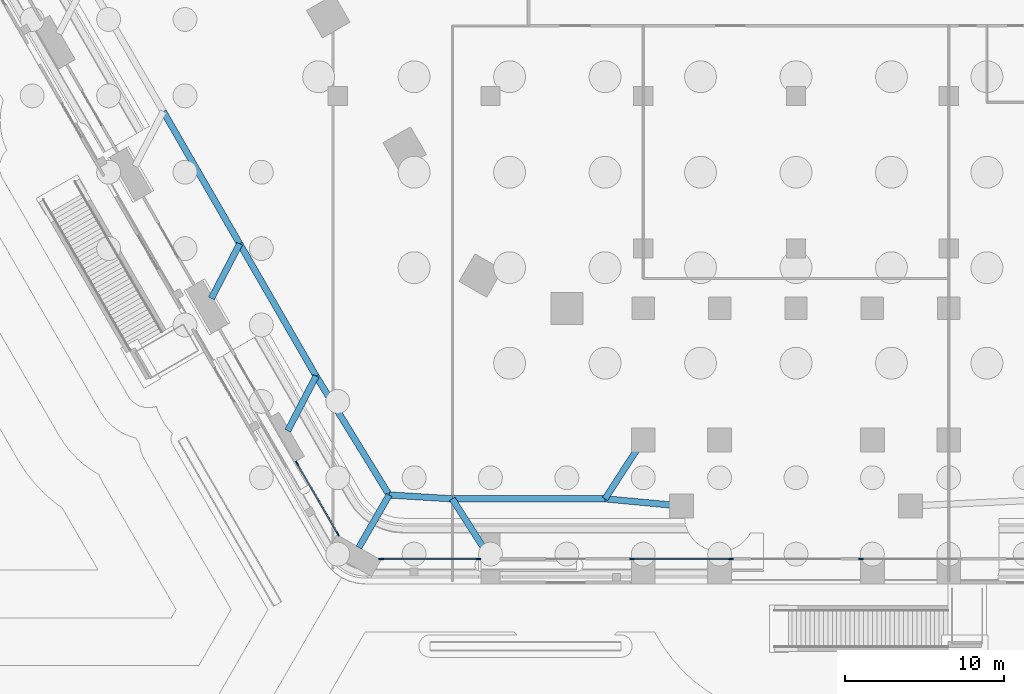
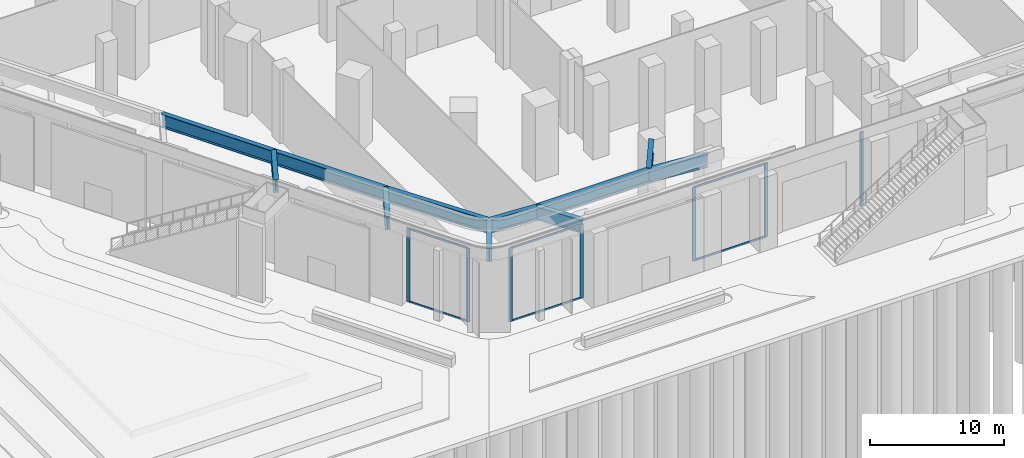
# One storey, part 3 of 68: 13 members, 11 beams, 4 elements without a shape of their own.
"""IFC4 building model written with IfcOpenShell, lengths in metres."""

from ifc_helpers import new_model, si_unit, direction, frame, origin, origin_2d, place, context, subcontext, project, spatial, rectangle, i_section, extrude, material, material_profile, profile_set, type_object, element, aggregate, save


model = new_model("IFC4")

# Units and contexts
model_context = context("Model", 3, precision=1e-05, world=origin(), true_north=direction((0.0, 1.0)))
body_context = subcontext(model_context, "Body", "Model", "MODEL_VIEW")
ifc_project = project(units=[si_unit("LENGTHUNIT", "METRE"), si_unit("AREAUNIT", "SQUARE_METRE"), si_unit("VOLUMEUNIT", "CUBIC_METRE"), si_unit("PLANEANGLEUNIT", "RADIAN"), si_unit("MASSUNIT", "GRAM", prefix="KILO")], contexts=[model_context])

# Site, building, storey
site_placement = place(None, origin())
site = spatial("IfcSite", under=ifc_project, at=site_placement, CompositionType="ELEMENT")
building_placement = place(site_placement, origin())
building = spatial("IfcBuilding", under=site, at=building_placement, Name="Kolab Exchange Tower", CompositionType="ELEMENT")
storey_placement = place(building_placement, origin())
storey = spatial("IfcBuildingStorey", under=building, at=storey_placement, Name="L00", CompositionType="ELEMENT", Elevation=0.0)

# Curtain wall, member
ifc_material_1 = material(Name="Aluminium EN AW-6063 T6", Category="aluminium")
curtain_wall_type = type_object("IfcCurtainWallType", Name="PODIUM STRUCTURAL GLAZING CURTAIN WALL", PredefinedType="NOTDEFINED", material=ifc_material_1)
curtain_wall_1_placement = place(storey_placement, origin())
curtain_wall_1 = element("IfcCurtainWall", 1, at=curtain_wall_1_placement, inside=storey, type_object=curtain_wall_type, Name="cw/L00/F4-2", PredefinedType="NOTDEFINED")
ifc_material_profile_1 = material_profile(ifc_material_1, rectangle(XDim=0.080078125, YDim=0.300048828125, at=origin_2d()), Name="RECT 80X300")
ifc_profile_set_1 = profile_set([ifc_material_profile_1], Name="Aluminium EN AW-6063 T6")
member_type_1 = type_object("IfcMemberType", Name="PODIUM STRUCTURAL GLAZING MULLION 80 X 300", PredefinedType="MULLION", material=ifc_profile_set_1)
member_1_placement = place(storey_placement, frame((4.087890625, -48.302978515625, 0.0), z_axis=(0.0, 0.0, 1.0), x_axis=(0.0, -1.0, 0.0)))
member_1 = element("IfcMember", 2, at=member_1_placement, type_object=member_type_1, Name="CW5 mullion 2", PredefinedType="MULLION", context=body_context, shape_type="SweptSolid", body=[
    extrude(rectangle(XDim=0.080078125, YDim=0.300048828125, at=origin_2d()), origin(), (0.0, 0.0, 1.0), 6.699951171875),
])
aggregate(curtain_wall_1, [member_1])

# Curtain wall, members
curtain_wall_2_placement = place(storey_placement, origin())
curtain_wall_2 = element("IfcCurtainWall", 3, at=curtain_wall_2_placement, inside=storey, type_object=curtain_wall_type, Name="cw/L00/F4-3", PredefinedType="NOTDEFINED")
member_2_placement = place(storey_placement, frame((-4.087890625, -48.302978515625, 0.0), z_axis=(0.0, 0.0, 1.0), x_axis=(0.0, -1.0, 0.0)))
member_2 = element("IfcMember", 4, at=member_2_placement, type_object=member_type_1, Name="CW5 mullion 1", PredefinedType="MULLION", context=body_context, shape_type="SweptSolid", body=[
    extrude(rectangle(XDim=0.080078125, YDim=0.300048828125, at=origin_2d()), origin(), (0.0, 0.0, 1.0), 6.699951171875),
])
member_3_placement = place(storey_placement, frame((-10.31201171875, -48.302978515625, 0.0), z_axis=(0.0, 0.0, 1.0), x_axis=(0.0, -1.0, 0.0)))
member_3 = element("IfcMember", 5, at=member_3_placement, type_object=member_type_1, Name="CW5 mullion 2", PredefinedType="MULLION", context=body_context, shape_type="SweptSolid", body=[
    extrude(rectangle(XDim=0.080078125, YDim=0.300048828125, at=origin_2d()), origin(), (0.0, 0.0, 1.0), 6.699951171875),
])

curtain_wall_3_placement = place(storey_placement, origin())
curtain_wall_3 = element("IfcCurtainWall", 6, at=curtain_wall_3_placement, inside=storey, type_object=curtain_wall_type, Name="cw/L00/F4-4", PredefinedType="NOTDEFINED")
member_4_placement = place(storey_placement, frame((-19.949951171875, -48.302978515625, 0.0), z_axis=(0.0, 0.0, 1.0), x_axis=(0.0, -1.0, 0.0)))
member_4 = element("IfcMember", 7, at=member_4_placement, type_object=member_type_1, Name="CW5 mullion 1", PredefinedType="MULLION", context=body_context, shape_type="SweptSolid", body=[
    extrude(rectangle(XDim=0.080078125, YDim=0.300048828125, at=origin_2d()), origin(), (0.0, 0.0, 1.0), 6.699951171875),
])
member_5_placement = place(storey_placement, frame((-26.058349609375, -48.302978515625, 0.0), z_axis=(0.0, 0.0, 1.0), x_axis=(0.0, -1.0, 0.0)))
member_5 = element("IfcMember", 8, at=member_5_placement, type_object=member_type_1, Name="CW5 mullion 2", PredefinedType="MULLION", context=body_context, shape_type="SweptSolid", body=[
    extrude(rectangle(XDim=0.080078125, YDim=0.300048828125, at=origin_2d()), origin(), (0.0, 0.0, 1.0), 6.699951171875),
])

curtain_wall_4_placement = place(storey_placement, origin())
curtain_wall_4 = element("IfcCurtainWall", 9, at=curtain_wall_4_placement, inside=storey, type_object=curtain_wall_type, Name="cw/L00/F5-1", PredefinedType="NOTDEFINED")
member_6_placement = place(storey_placement, frame((-28.802490234375, -46.71875, 0.0), z_axis=(0.0, 0.0, 1.0), x_axis=(-0.866025433568, -0.499999948413, 0.0)))
member_6 = element("IfcMember", 10, at=member_6_placement, type_object=member_type_1, Name="CW5 mullion 1", PredefinedType="MULLION", context=body_context, shape_type="SweptSolid", body=[
    extrude(rectangle(XDim=0.080078125, YDim=0.300048828125, at=origin_2d()), origin(), (0.0, 0.0, 1.0), 6.699951171875),
])
member_7_placement = place(storey_placement, frame((-31.356689453125, -42.294677734375, 0.0), z_axis=(0.0, 0.0, 1.0), x_axis=(-0.866025433568, -0.499999948413, 0.0)))
member_7 = element("IfcMember", 11, at=member_7_placement, type_object=member_type_1, Name="CW5 mullion 2", PredefinedType="MULLION", context=body_context, shape_type="SweptSolid", body=[
    extrude(rectangle(XDim=0.080078125, YDim=0.300048828125, at=origin_2d()), origin(), (0.0, 0.0, 1.0), 6.699951171875),
])

# Member
ifc_material_profile_2 = material_profile(ifc_material_1, rectangle(XDim=0.080078125, YDim=0.179931640625, at=origin_2d()), Name="RECT 80X180")
ifc_profile_set_2 = profile_set([ifc_material_profile_2], Name="Aluminium EN AW-6063 T6")
member_type_2 = type_object("IfcMemberType", Name="PODIUM STRUCTURAL GLAZING TRANSOM 80 X 180", PredefinedType="USERDEFINED", material=ifc_profile_set_2)
member_8_placement = place(storey_placement, frame((-4.1279296875, -48.302978515625, 0.0400390625), z_axis=(-1.0, 0.0, 0.0), x_axis=(0.0, -1.0, 0.0)))
member_8 = element("IfcMember", 12, at=member_8_placement, type_object=member_type_2, Name="CW5 transom 1.1", ObjectType="TRANSOM", PredefinedType="USERDEFINED", context=body_context, shape_type="SweptSolid", body=[
    extrude(rectangle(XDim=0.080078125, YDim=0.179931640625, at=origin_2d()), origin(), (0.0, 0.0, 1.0), 6.14404296875),
])

member_9_placement = place(storey_placement, frame((-4.1279296875, -48.302978515625, 6.659912109375), z_axis=(-1.0, 0.0, 0.0), x_axis=(0.0, -1.0, 0.0)))
member_9 = element("IfcMember", 13, at=member_9_placement, type_object=member_type_2, Name="CW5 transom 1.2", ObjectType="TRANSOM", PredefinedType="USERDEFINED", context=body_context, shape_type="SweptSolid", body=[
    extrude(rectangle(XDim=0.080078125, YDim=0.179931640625, at=origin_2d()), origin(), (0.0, 0.0, 1.0), 6.14404296875),
])

aggregate(curtain_wall_2, [member_2, member_3, member_8, member_9])

member_10_placement = place(storey_placement, frame((-19.989990234375, -48.302978515625, 0.0400390625), z_axis=(-1.0, 0.0, 0.0), x_axis=(0.0, -1.0, 0.0)))
member_10 = element("IfcMember", 14, at=member_10_placement, type_object=member_type_2, Name="CW5 transom 1.1", ObjectType="TRANSOM", PredefinedType="USERDEFINED", context=body_context, shape_type="SweptSolid", body=[
    extrude(rectangle(XDim=0.080078125, YDim=0.179931640625, at=origin_2d()), origin(), (0.0, 0.0, 1.0), 6.028564453125),
])

member_11_placement = place(storey_placement, frame((-19.989990234375, -48.302978515625, 6.659912109375), z_axis=(-1.0, 0.0, 0.0), x_axis=(0.0, -1.0, 0.0)))
member_11 = element("IfcMember", 15, at=member_11_placement, type_object=member_type_2, Name="CW5 transom 1.2", ObjectType="TRANSOM", PredefinedType="USERDEFINED", context=body_context, shape_type="SweptSolid", body=[
    extrude(rectangle(XDim=0.080078125, YDim=0.179931640625, at=origin_2d()), origin(), (0.0, 0.0, 1.0), 6.028564453125),
])

aggregate(curtain_wall_3, [member_4, member_5, member_10, member_11])

member_12_placement = place(storey_placement, frame((-28.822509765625, -46.68408203125, 0.0400390625), z_axis=(-0.49999283541, 0.866029540223, 0.0), x_axis=(-0.866029540223, -0.49999283541, 0.0)))
member_12 = element("IfcMember", 16, at=member_12_placement, type_object=member_type_2, Name="CW5 transom 1.1", ObjectType="TRANSOM", PredefinedType="USERDEFINED", context=body_context, shape_type="SweptSolid", body=[
    extrude(rectangle(XDim=0.080078125, YDim=0.179931640625, at=origin_2d()), origin(), (0.0, 0.0, 1.0), 5.0283203125),
])

member_13_placement = place(storey_placement, frame((-28.822509765625, -46.68408203125, 6.659912109375), z_axis=(-0.49999283541, 0.866029540223, 0.0), x_axis=(-0.866029540223, -0.49999283541, 0.0)))
member_13 = element("IfcMember", 17, at=member_13_placement, type_object=member_type_2, Name="CW5 transom 1.2", ObjectType="TRANSOM", PredefinedType="USERDEFINED", context=body_context, shape_type="SweptSolid", body=[
    extrude(rectangle(XDim=0.080078125, YDim=0.179931640625, at=origin_2d()), origin(), (0.0, 0.0, 1.0), 5.0283203125),
])

aggregate(curtain_wall_4, [member_6, member_7, member_12, member_13])

# Beams
ifc_material_2 = material(Name="Steel S355", Category="steel")
ifc_material_profile_3 = material_profile(ifc_material_2, i_section(OverallWidth=0.39990234375, OverallDepth=1.199951171875, WebThickness=0.02490234375, FlangeThickness=0.0400390625, at=origin_2d()), Name="PG1200X400")
ifc_profile_set_3 = profile_set([ifc_material_profile_3], Name="Steel S355")
beam_type = type_object("IfcBeamType", Name="TRANSFER GIRDER PG1200X400", PredefinedType="BEAM", material=ifc_profile_set_3)
beam_1_placement = place(storey_placement, frame((-12.0, -44.526123046875, 6.10009765625), z_axis=(0.543473506212, 0.839426320796, 0.0), x_axis=(-0.839426320796, 0.543473506212, 0.0)))
element("IfcBeam", 18, at=beam_1_placement, inside=storey, type_object=beam_type, Name="beam/L00/tg/P1-F4-09", PredefinedType="BEAM", context=body_context, shape_type="SweptSolid", body=[
    extrude(i_section(OverallWidth=0.39990234375, OverallDepth=1.199951171875, WebThickness=0.02490234375, FlangeThickness=0.0400390625, at=origin_2d()), origin(), (0.0, 0.0, 1.0), 3.825927734375),
])
beam_2_placement = place(storey_placement, frame((-21.60009765625, -44.526123046875, 6.10009765625), z_axis=(0.538369356879, -0.84270898629, 0.0), x_axis=(0.84270898629, 0.538369356879, 0.0)))
element("IfcBeam", 19, at=beam_2_placement, inside=storey, type_object=beam_type, Name="beam/L00/tg/P1-F4-11", PredefinedType="BEAM", context=body_context, shape_type="SweptSolid", body=[
    extrude(i_section(OverallWidth=0.39990234375, OverallDepth=1.199951171875, WebThickness=0.02490234375, FlangeThickness=0.0400390625, at=origin_2d()), origin(), (0.0, 0.0, 1.0), 3.8681640625),
])
beam_3_placement = place(storey_placement, frame((-25.56787109375, -44.284912109375, 6.10009765625), z_axis=(-0.500005339912, -0.866022320763, 0.0), x_axis=(0.866022320763, -0.500005339912, 0.0)))
element("IfcBeam", 20, at=beam_3_placement, inside=storey, type_object=beam_type, Name="beam/L00/tg/P1-F5-01", PredefinedType="BEAM", context=body_context, shape_type="SweptSolid", body=[
    extrude(i_section(OverallWidth=0.39990234375, OverallDepth=1.199951171875, WebThickness=0.02490234375, FlangeThickness=0.0400390625, at=origin_2d()), origin(), (0.0, 0.0, 1.0), 3.81005859375),
])
beam_4_placement = place(storey_placement, frame((-30.160888671875, -36.812255859375, 6.10009765625), z_axis=(-0.460619274945, -0.887597816327, 0.0), x_axis=(0.887597816327, -0.460619274945, 0.0)))
element("IfcBeam", 21, at=beam_4_placement, inside=storey, type_object=beam_type, Name="beam/L00/tg/P1-F5-03", PredefinedType="BEAM", context=body_context, shape_type="SweptSolid", body=[
    extrude(i_section(OverallWidth=0.39990234375, OverallDepth=1.199951171875, WebThickness=0.02490234375, FlangeThickness=0.0400390625, at=origin_2d()), origin(), (0.0, 0.0, 1.0), 3.8681640625),
])
beam_5_placement = place(storey_placement, frame((-34.960693359375, -28.49853515625, 6.10009765625), z_axis=(-0.460694804411, -0.887558616199, 0.0), x_axis=(0.887558616199, -0.460694804411, 0.0)))
element("IfcBeam", 22, at=beam_5_placement, inside=storey, type_object=beam_type, Name="beam/L00/tg/P1-F5-05", PredefinedType="BEAM", context=body_context, shape_type="SweptSolid", body=[
    extrude(i_section(OverallWidth=0.39990234375, OverallDepth=1.199951171875, WebThickness=0.02490234375, FlangeThickness=0.0400390625, at=origin_2d()), origin(), (0.0, 0.0, 1.0), 3.867919921875),
])
beam_6_placement = place(storey_placement, frame((-7.199951171875, -44.97607421875, 6.10009765625), z_axis=(-0.995635255469, 0.093329727676, 0.0), x_axis=(-0.093329727676, -0.995635255469, 0.0)))
element("IfcBeam", 23, at=beam_6_placement, inside=storey, type_object=beam_type, Name="beam/L00/rg/P1-F4-08", PredefinedType="BEAM", context=body_context, shape_type="SweptSolid", body=[
    extrude(i_section(OverallWidth=0.39990234375, OverallDepth=1.199951171875, WebThickness=0.02490234375, FlangeThickness=0.0400390625, at=origin_2d()), origin(), (0.0, 0.0, 1.0), 4.821044921875),
])
beam_7_placement = place(storey_placement, frame((-12.0, -44.526123046875, 6.10009765625), z_axis=(-1.0, 0.0, 0.0), x_axis=(0.0, -1.0, 0.0)))
element("IfcBeam", 24, at=beam_7_placement, inside=storey, type_object=beam_type, Name="beam/L00/rg/P1-F4-09", PredefinedType="BEAM", context=body_context, shape_type="SweptSolid", body=[
    extrude(i_section(OverallWidth=0.39990234375, OverallDepth=1.199951171875, WebThickness=0.02490234375, FlangeThickness=0.0400390625, at=origin_2d()), origin(), (0.0, 0.0, 1.0), 9.60009765625),
])
beam_8_placement = place(storey_placement, frame((-21.60009765625, -44.526123046875, 6.10009765625), z_axis=(-0.998157241072, 0.060680491889, 0.0), x_axis=(-0.060680491889, -0.998157241072, 0.0)))
element("IfcBeam", 25, at=beam_8_placement, inside=storey, type_object=beam_type, Name="beam/L00/rg/P1-F4-11", PredefinedType="BEAM", context=body_context, shape_type="SweptSolid", body=[
    extrude(i_section(OverallWidth=0.39990234375, OverallDepth=1.199951171875, WebThickness=0.02490234375, FlangeThickness=0.0400390625, at=origin_2d()), origin(), (0.0, 0.0, 1.0), 3.97509765625),
])
beam_9_placement = place(storey_placement, frame((-25.56787109375, -44.284912109375, 6.10009765625), z_axis=(-0.52363922529, 0.851940116286, 0.0), x_axis=(-0.851940116286, -0.52363922529, 0.0)))
element("IfcBeam", 26, at=beam_9_placement, inside=storey, type_object=beam_type, Name="beam/L00/rg/P1-F5-01", PredefinedType="BEAM", context=body_context, shape_type="SweptSolid", body=[
    extrude(i_section(OverallWidth=0.39990234375, OverallDepth=1.199951171875, WebThickness=0.02490234375, FlangeThickness=0.0400390625, at=origin_2d()), origin(), (0.0, 0.0, 1.0), 8.771240234375),
])
beam_10_placement = place(storey_placement, frame((-30.160888671875, -36.812255859375, 6.10009765625), z_axis=(-0.499990296761, 0.86603100588, 0.0), x_axis=(-0.86603100588, -0.499990296761, 0.0)))
element("IfcBeam", 27, at=beam_10_placement, inside=storey, type_object=beam_type, Name="beam/L00/rg/P1-F5-03", PredefinedType="BEAM", context=body_context, shape_type="SweptSolid", body=[
    extrude(i_section(OverallWidth=0.39990234375, OverallDepth=1.199951171875, WebThickness=0.02490234375, FlangeThickness=0.0400390625, at=origin_2d()), origin(), (0.0, 0.0, 1.0), 9.599853515625),
])
beam_11_placement = place(storey_placement, frame((-34.960693359375, -28.49853515625, 6.10009765625), z_axis=(-0.499998358424, 0.866026351547, 0.0), x_axis=(-0.866026351547, -0.499998358424, 0.0)))
element("IfcBeam", 28, at=beam_11_placement, inside=storey, type_object=beam_type, Name="beam/L00/rg/P1-F5-05", PredefinedType="BEAM", context=body_context, shape_type="SweptSolid", body=[
    extrude(i_section(OverallWidth=0.39990234375, OverallDepth=1.199951171875, WebThickness=0.02490234375, FlangeThickness=0.0400390625, at=origin_2d()), origin(), (0.0, 0.0, 1.0), 9.60009765625),
])

save(model, "model.ifc")
